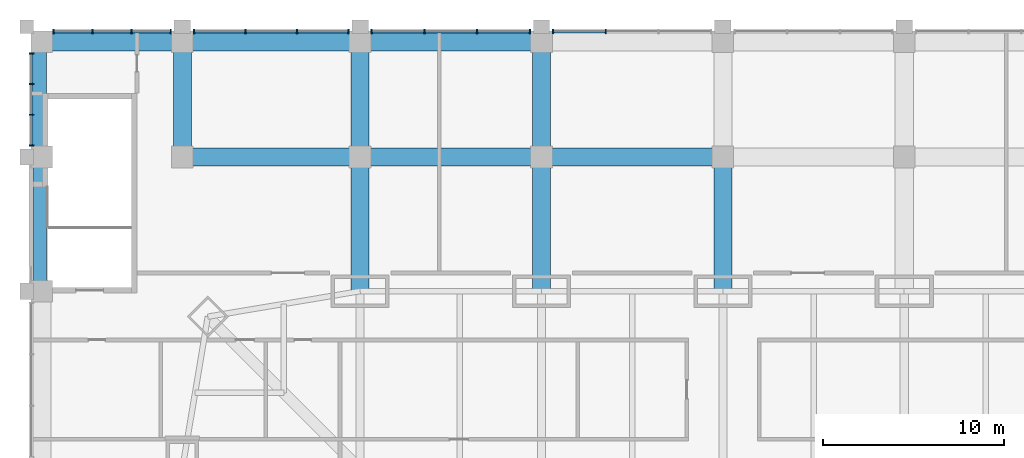
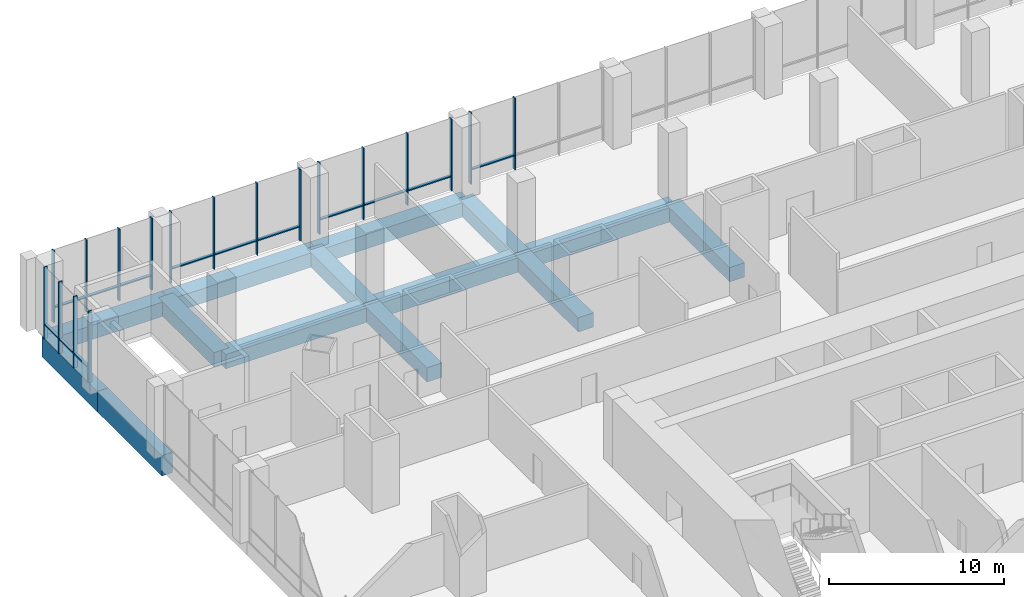
# One storey, part 10 of 22: 31 members, 14 beams, 5 elements without a shape of their own.
"""IFC4 building model written with IfcOpenShell, lengths in metres."""

from ifc_helpers import new_model, si_unit, direction, frame, origin, origin_2d, place, context, subcontext, project, spatial, rectangle, extrude, material, material_profile, profile_set, type_object, element, aggregate, save


model = new_model("IFC4")

# Units and contexts
model_context = context("Model", 3, precision=1e-05, world=origin(), true_north=direction((0.0, 1.0)))
body_context = subcontext(model_context, "Body", "Model", "MODEL_VIEW")
ifc_project = project(units=[si_unit("LENGTHUNIT", "METRE"), si_unit("AREAUNIT", "SQUARE_METRE"), si_unit("VOLUMEUNIT", "CUBIC_METRE"), si_unit("PLANEANGLEUNIT", "RADIAN"), si_unit("MASSUNIT", "GRAM", prefix="KILO")], contexts=[model_context])

# Site, building, storey
site_placement = place(None, origin())
site = spatial("IfcSite", under=ifc_project, at=site_placement, CompositionType="ELEMENT")
building_placement = place(site_placement, origin())
building = spatial("IfcBuilding", under=site, at=building_placement, Name="Khuree Lantern Residences", CompositionType="ELEMENT")
storey_placement = place(building_placement, frame((0.0, 0.0, 16.0)))
storey = spatial("IfcBuildingStorey", under=building, at=storey_placement, Name="L03", CompositionType="ELEMENT", Elevation=16.0)

# Curtain wall, members
ifc_material_1 = material(Name="Bronze anodised aluminium", Category="aluminium")
curtain_wall_type = type_object("IfcCurtainWallType", Name="CW-P PODIUM STOREFRONT CURTAIN WALL", PredefinedType="USERDEFINED", material=ifc_material_1)
curtain_wall_1_placement = place(storey_placement, origin())
curtain_wall_1 = element("IfcCurtainWall", 1, at=curtain_wall_1_placement, inside=storey, type_object=curtain_wall_type, Name="L03 NORTH FACE BAY 5 STOREFRONT", ObjectType="Storefront curtain wall", PredefinedType="USERDEFINED")
ifc_material_profile_1 = material_profile(ifc_material_1, rectangle(XDim=0.074951171875, YDim=0.25, at=origin_2d()), Name="M5 75X250")
ifc_profile_set_1 = profile_set([ifc_material_profile_1], Name="Bronze anodised aluminium")
member_type_1 = type_object("IfcMemberType", Name="MULLION M5 STOREFRONT 75X250", PredefinedType="MULLION", material=ifc_profile_set_1)
member_1_placement = place(storey_placement, frame((-6.4541015625, 44.125, 0.0), z_axis=(0.0, 0.0, 1.0), x_axis=(-1.0, 0.0, 0.0)))
member_1 = element("IfcMember", 2, at=member_1_placement, type_object=member_type_1, Name="L03 NORTH FACE BAY 5 MULLION 3", PredefinedType="MULLION", context=body_context, shape_type="SweptSolid", body=[
    extrude(rectangle(XDim=0.074951171875, YDim=0.25, at=origin_2d()), origin(), (0.0, 0.0, 1.0), 5.0),
])
member_2_placement = place(storey_placement, frame((-9.362548828125, 44.125, 0.0), z_axis=(0.0, 0.0, 1.0), x_axis=(-1.0, 0.0, 0.0)))
member_2 = element("IfcMember", 3, at=member_2_placement, type_object=member_type_1, Name="L03 NORTH FACE BAY 5 MULLION 4", PredefinedType="MULLION", context=body_context, shape_type="SweptSolid", body=[
    extrude(rectangle(XDim=0.074951171875, YDim=0.25, at=origin_2d()), origin(), (0.0, 0.0, 1.0), 5.0),
])

curtain_wall_2_placement = place(storey_placement, origin())
curtain_wall_2 = element("IfcCurtainWall", 4, at=curtain_wall_2_placement, inside=storey, type_object=curtain_wall_type, Name="L03 NORTH FACE BAY 6 STOREFRONT", ObjectType="Storefront curtain wall", PredefinedType="USERDEFINED")
member_3_placement = place(storey_placement, frame((-10.637451171875, 44.125, 0.0), z_axis=(0.0, 0.0, 1.0), x_axis=(-1.0, 0.0, 0.0)))
member_3 = element("IfcMember", 5, at=member_3_placement, type_object=member_type_1, Name="L03 NORTH FACE BAY 6 MULLION 1", PredefinedType="MULLION", context=body_context, shape_type="SweptSolid", body=[
    extrude(rectangle(XDim=0.074951171875, YDim=0.25, at=origin_2d()), origin(), (0.0, 0.0, 1.0), 5.0),
])
member_4_placement = place(storey_placement, frame((-13.5458984375, 44.125, 0.0), z_axis=(0.0, 0.0, 1.0), x_axis=(-1.0, 0.0, 0.0)))
member_4 = element("IfcMember", 6, at=member_4_placement, type_object=member_type_1, Name="L03 NORTH FACE BAY 6 MULLION 2", PredefinedType="MULLION", context=body_context, shape_type="SweptSolid", body=[
    extrude(rectangle(XDim=0.074951171875, YDim=0.25, at=origin_2d()), origin(), (0.0, 0.0, 1.0), 5.0),
])
member_5_placement = place(storey_placement, frame((-16.4541015625, 44.125, 0.0), z_axis=(0.0, 0.0, 1.0), x_axis=(-1.0, 0.0, 0.0)))
member_5 = element("IfcMember", 7, at=member_5_placement, type_object=member_type_1, Name="L03 NORTH FACE BAY 6 MULLION 3", PredefinedType="MULLION", context=body_context, shape_type="SweptSolid", body=[
    extrude(rectangle(XDim=0.074951171875, YDim=0.25, at=origin_2d()), origin(), (0.0, 0.0, 1.0), 5.0),
])
member_6_placement = place(storey_placement, frame((-19.362548828125, 44.125, 0.0), z_axis=(0.0, 0.0, 1.0), x_axis=(-1.0, 0.0, 0.0)))
member_6 = element("IfcMember", 8, at=member_6_placement, type_object=member_type_1, Name="L03 NORTH FACE BAY 6 MULLION 4", PredefinedType="MULLION", context=body_context, shape_type="SweptSolid", body=[
    extrude(rectangle(XDim=0.074951171875, YDim=0.25, at=origin_2d()), origin(), (0.0, 0.0, 1.0), 5.0),
])

curtain_wall_3_placement = place(storey_placement, origin())
curtain_wall_3 = element("IfcCurtainWall", 9, at=curtain_wall_3_placement, inside=storey, type_object=curtain_wall_type, Name="L03 NORTH FACE BAY 7 STOREFRONT", ObjectType="Storefront curtain wall", PredefinedType="USERDEFINED")
member_7_placement = place(storey_placement, frame((-20.637451171875, 44.125, 0.0), z_axis=(0.0, 0.0, 1.0), x_axis=(-1.0, 0.0, 0.0)))
member_7 = element("IfcMember", 10, at=member_7_placement, type_object=member_type_1, Name="L03 NORTH FACE BAY 7 MULLION 1", PredefinedType="MULLION", context=body_context, shape_type="SweptSolid", body=[
    extrude(rectangle(XDim=0.074951171875, YDim=0.25, at=origin_2d()), origin(), (0.0, 0.0, 1.0), 5.0),
])
member_8_placement = place(storey_placement, frame((-23.479248046875, 44.125, 0.0), z_axis=(0.0, 0.0, 1.0), x_axis=(-1.0, 0.0, 0.0)))
member_8 = element("IfcMember", 11, at=member_8_placement, type_object=member_type_1, Name="L03 NORTH FACE BAY 7 MULLION 2", PredefinedType="MULLION", context=body_context, shape_type="SweptSolid", body=[
    extrude(rectangle(XDim=0.074951171875, YDim=0.25, at=origin_2d()), origin(), (0.0, 0.0, 1.0), 5.0),
])
member_9_placement = place(storey_placement, frame((-26.32080078125, 44.125, 0.0), z_axis=(0.0, 0.0, 1.0), x_axis=(-1.0, 0.0, 0.0)))
member_9 = element("IfcMember", 12, at=member_9_placement, type_object=member_type_1, Name="L03 NORTH FACE BAY 7 MULLION 3", PredefinedType="MULLION", context=body_context, shape_type="SweptSolid", body=[
    extrude(rectangle(XDim=0.074951171875, YDim=0.25, at=origin_2d()), origin(), (0.0, 0.0, 1.0), 5.0),
])
member_10_placement = place(storey_placement, frame((-29.16259765625, 44.125, 0.0), z_axis=(0.0, 0.0, 1.0), x_axis=(-1.0, 0.0, 0.0)))
member_10 = element("IfcMember", 13, at=member_10_placement, type_object=member_type_1, Name="L03 NORTH FACE BAY 7 MULLION 4", PredefinedType="MULLION", context=body_context, shape_type="SweptSolid", body=[
    extrude(rectangle(XDim=0.074951171875, YDim=0.25, at=origin_2d()), origin(), (0.0, 0.0, 1.0), 5.0),
])

curtain_wall_4_placement = place(storey_placement, origin())
curtain_wall_4 = element("IfcCurtainWall", 14, at=curtain_wall_4_placement, inside=storey, type_object=curtain_wall_type, Name="L03 NORTH FACE BAY 8 STOREFRONT", ObjectType="Storefront curtain wall", PredefinedType="USERDEFINED")
member_11_placement = place(storey_placement, frame((-30.4375, 44.125, 0.0), z_axis=(0.0, 0.0, 1.0), x_axis=(-1.0, 0.0, 0.0)))
member_11 = element("IfcMember", 15, at=member_11_placement, type_object=member_type_1, Name="L03 NORTH FACE BAY 8 MULLION 1", PredefinedType="MULLION", context=body_context, shape_type="SweptSolid", body=[
    extrude(rectangle(XDim=0.074951171875, YDim=0.25, at=origin_2d()), origin(), (0.0, 0.0, 1.0), 5.0),
])
member_12_placement = place(storey_placement, frame((-32.595947265625, 44.125, 0.0), z_axis=(0.0, 0.0, 1.0), x_axis=(-1.0, 0.0, 0.0)))
member_12 = element("IfcMember", 16, at=member_12_placement, type_object=member_type_1, Name="L03 NORTH FACE BAY 8 MULLION 2", PredefinedType="MULLION", context=body_context, shape_type="SweptSolid", body=[
    extrude(rectangle(XDim=0.074951171875, YDim=0.25, at=origin_2d()), origin(), (0.0, 0.0, 1.0), 5.0),
])
member_13_placement = place(storey_placement, frame((-34.754150390625, 44.125, 0.0), z_axis=(0.0, 0.0, 1.0), x_axis=(-1.0, 0.0, 0.0)))
member_13 = element("IfcMember", 17, at=member_13_placement, type_object=member_type_1, Name="L03 NORTH FACE BAY 8 MULLION 3", PredefinedType="MULLION", context=body_context, shape_type="SweptSolid", body=[
    extrude(rectangle(XDim=0.074951171875, YDim=0.25, at=origin_2d()), origin(), (0.0, 0.0, 1.0), 5.0),
])
member_14_placement = place(storey_placement, frame((-36.91259765625, 44.125, 0.0), z_axis=(0.0, 0.0, 1.0), x_axis=(-1.0, 0.0, 0.0)))
member_14 = element("IfcMember", 18, at=member_14_placement, type_object=member_type_1, Name="L03 NORTH FACE BAY 8 MULLION 4", PredefinedType="MULLION", context=body_context, shape_type="SweptSolid", body=[
    extrude(rectangle(XDim=0.074951171875, YDim=0.25, at=origin_2d()), origin(), (0.0, 0.0, 1.0), 5.0),
])

curtain_wall_5_placement = place(storey_placement, origin())
curtain_wall_5 = element("IfcCurtainWall", 19, at=curtain_wall_5_placement, inside=storey, type_object=curtain_wall_type, Name="L03 WEST FACE BAY 1 STOREFRONT", ObjectType="Storefront curtain wall", PredefinedType="USERDEFINED")
member_15_placement = place(storey_placement, frame((-38.125, 42.91259765625, 0.0), z_axis=(0.0, 0.0, 1.0), x_axis=(0.0, -1.0, 0.0)))
member_15 = element("IfcMember", 20, at=member_15_placement, type_object=member_type_1, Name="L03 WEST FACE BAY 1 MULLION 1", PredefinedType="MULLION", context=body_context, shape_type="SweptSolid", body=[
    extrude(rectangle(XDim=0.074951171875, YDim=0.25, at=origin_2d()), origin(), (0.0, 0.0, 1.0), 5.0),
])
member_16_placement = place(storey_placement, frame((-38.125, 41.220947265625, 0.0), z_axis=(0.0, 0.0, 1.0), x_axis=(0.0, -1.0, 0.0)))
member_16 = element("IfcMember", 21, at=member_16_placement, type_object=member_type_1, Name="L03 WEST FACE BAY 1 MULLION 2", PredefinedType="MULLION", context=body_context, shape_type="SweptSolid", body=[
    extrude(rectangle(XDim=0.074951171875, YDim=0.25, at=origin_2d()), origin(), (0.0, 0.0, 1.0), 5.0),
])
member_17_placement = place(storey_placement, frame((-38.125, 39.529052734375, 0.0), z_axis=(0.0, 0.0, 1.0), x_axis=(0.0, -1.0, 0.0)))
member_17 = element("IfcMember", 22, at=member_17_placement, type_object=member_type_1, Name="L03 WEST FACE BAY 1 MULLION 3", PredefinedType="MULLION", context=body_context, shape_type="SweptSolid", body=[
    extrude(rectangle(XDim=0.074951171875, YDim=0.25, at=origin_2d()), origin(), (0.0, 0.0, 1.0), 5.0),
])
member_18_placement = place(storey_placement, frame((-38.125, 37.83740234375, 0.0), z_axis=(0.0, 0.0, 1.0), x_axis=(0.0, -1.0, 0.0)))
member_18 = element("IfcMember", 23, at=member_18_placement, type_object=member_type_1, Name="L03 WEST FACE BAY 1 MULLION 4", PredefinedType="MULLION", context=body_context, shape_type="SweptSolid", body=[
    extrude(rectangle(XDim=0.074951171875, YDim=0.25, at=origin_2d()), origin(), (0.0, 0.0, 1.0), 5.0),
])

# Beams
ifc_material_2 = material(Name="Concrete C40/50", Category="concrete")
ifc_material_profile_2 = material_profile(ifc_material_2, rectangle(XDim=1.0, YDim=1.0, at=origin_2d()), Name="RC 1000X1000")
ifc_profile_set_2 = profile_set([ifc_material_profile_2], Name="Concrete C40/50")
beam_type_1 = type_object("IfcBeamType", Name="RB3 PODIUM BEAM RC 1000X1000", PredefinedType="BEAM", material=ifc_profile_set_2)
beam_1_placement = place(storey_placement, frame((-29.800048828125, 37.199951171875, -0.800048828125), z_axis=(1.0, 0.0, 0.0), x_axis=(0.0, 1.0, 0.0)))
element("IfcBeam", 24, at=beam_1_placement, inside=storey, type_object=beam_type_1, Name="Podium beam RB-11", PredefinedType="BEAM", context=body_context, shape_type="SweptSolid", body=[
    extrude(rectangle(XDim=1.0, YDim=1.0, at=origin_2d()), origin(), (0.0, 0.0, 1.0), 9.800048828125),
])
for number, where, z_axis, x_axis, name in (
    (25, (-20.0, 37.199951171875, -0.800048828125), (1.0, 0.0, 0.0), (0.0, 1.0, 0.0), "Podium beam RB-12"),
    (26, (-10.0, 37.199951171875, -0.800048828125), (1.0, 0.0, 0.0), (0.0, 1.0, 0.0), "Podium beam RB-13"),
):
    element("IfcBeam", number, at=place(storey_placement, frame(where, z_axis=z_axis, x_axis=x_axis)), inside=storey, type_object=beam_type_1, Name=name, PredefinedType="BEAM", context=body_context, shape_type="SweptSolid", body=[
        extrude(rectangle(XDim=1.0, YDim=1.0, at=origin_2d()), origin(), (0.0, 0.0, 1.0), 10.0),
    ])
beam_2_placement = place(storey_placement, frame((-37.550048828125, 43.550048828125, -0.800048828125), z_axis=(1.0, 0.0, 0.0), x_axis=(0.0, 1.0, 0.0)))
element("IfcBeam", 27, at=beam_2_placement, inside=storey, type_object=beam_type_1, Name="Podium beam RB-17", PredefinedType="BEAM", context=body_context, shape_type="SweptSolid", body=[
    extrude(rectangle(XDim=1.0, YDim=1.0, at=origin_2d()), origin(), (0.0, 0.0, 1.0), 7.75),
])
beam_3_placement = place(storey_placement, frame((-29.800048828125, 43.550048828125, -0.800048828125), z_axis=(1.0, 0.0, 0.0), x_axis=(0.0, 1.0, 0.0)))
element("IfcBeam", 28, at=beam_3_placement, inside=storey, type_object=beam_type_1, Name="Podium beam RB-18", PredefinedType="BEAM", context=body_context, shape_type="SweptSolid", body=[
    extrude(rectangle(XDim=1.0, YDim=1.0, at=origin_2d()), origin(), (0.0, 0.0, 1.0), 9.800048828125),
])
beam_4_placement = place(storey_placement, frame((-20.0, 43.550048828125, -0.800048828125), z_axis=(1.0, 0.0, 0.0), x_axis=(0.0, 1.0, 0.0)))
element("IfcBeam", 29, at=beam_4_placement, inside=storey, type_object=beam_type_1, Name="Podium beam RB-19", PredefinedType="BEAM", context=body_context, shape_type="SweptSolid", body=[
    extrude(rectangle(XDim=1.0, YDim=1.0, at=origin_2d()), origin(), (0.0, 0.0, 1.0), 10.0),
])
beam_5_placement = place(storey_placement, frame((-29.800048828125, 37.199951171875, -0.800048828125), z_axis=(0.0, 1.0, 0.0), x_axis=(-1.0, 0.0, 0.0)))
element("IfcBeam", 30, at=beam_5_placement, inside=storey, type_object=beam_type_1, Name="Podium beam RB-33", PredefinedType="BEAM", context=body_context, shape_type="SweptSolid", body=[
    extrude(rectangle(XDim=1.0, YDim=1.0, at=origin_2d()), origin(), (0.0, 0.0, 1.0), 6.35009765625),
])
beam_6_placement = place(storey_placement, frame((-20.0, 29.800048828125, -0.800048828125), z_axis=(0.0, 1.0, 0.0), x_axis=(-1.0, 0.0, 0.0)))
element("IfcBeam", 31, at=beam_6_placement, inside=storey, type_object=beam_type_1, Name="Podium beam RB-34", PredefinedType="BEAM", context=body_context, shape_type="SweptSolid", body=[
    extrude(rectangle(XDim=1.0, YDim=1.0, at=origin_2d()), origin(), (0.0, 0.0, 1.0), 7.39990234375),
])
beam_7_placement = place(storey_placement, frame((-20.0, 37.199951171875, -0.800048828125), z_axis=(0.0, 1.0, 0.0), x_axis=(-1.0, 0.0, 0.0)))
element("IfcBeam", 32, at=beam_7_placement, inside=storey, type_object=beam_type_1, Name="Podium beam RB-35", PredefinedType="BEAM", context=body_context, shape_type="SweptSolid", body=[
    extrude(rectangle(XDim=1.0, YDim=1.0, at=origin_2d()), origin(), (0.0, 0.0, 1.0), 6.35009765625),
])
beam_8_placement = place(storey_placement, frame((-10.0, 29.800048828125, -0.800048828125), z_axis=(0.0, 1.0, 0.0), x_axis=(-1.0, 0.0, 0.0)))
element("IfcBeam", 33, at=beam_8_placement, inside=storey, type_object=beam_type_1, Name="Podium beam RB-36", PredefinedType="BEAM", context=body_context, shape_type="SweptSolid", body=[
    extrude(rectangle(XDim=1.0, YDim=1.0, at=origin_2d()), origin(), (0.0, 0.0, 1.0), 7.39990234375),
])
beam_9_placement = place(storey_placement, frame((-10.0, 37.199951171875, -0.800048828125), z_axis=(0.0, 1.0, 0.0), x_axis=(-1.0, 0.0, 0.0)))
element("IfcBeam", 34, at=beam_9_placement, inside=storey, type_object=beam_type_1, Name="Podium beam RB-37", PredefinedType="BEAM", context=body_context, shape_type="SweptSolid", body=[
    extrude(rectangle(XDim=1.0, YDim=1.0, at=origin_2d()), origin(), (0.0, 0.0, 1.0), 6.35009765625),
])
beam_10_placement = place(storey_placement, frame((0.0, 29.800048828125, -0.800048828125), z_axis=(0.0, 1.0, 0.0), x_axis=(-1.0, 0.0, 0.0)))
element("IfcBeam", 35, at=beam_10_placement, inside=storey, type_object=beam_type_1, Name="Podium beam RB-38", PredefinedType="BEAM", context=body_context, shape_type="SweptSolid", body=[
    extrude(rectangle(XDim=1.0, YDim=1.0, at=origin_2d()), origin(), (0.0, 0.0, 1.0), 7.39990234375),
])
ifc_material_profile_3 = material_profile(ifc_material_2, rectangle(XDim=0.699951171875, YDim=1.429931640625, at=origin_2d()), Name="RC 700X1430")
ifc_profile_set_3 = profile_set([ifc_material_profile_3], Name="Concrete C40/50")
beam_type_2 = type_object("IfcBeamType", Name="RB7 PODIUM BEAM AT STAIR RC 700X1430", PredefinedType="BEAM", material=ifc_profile_set_3)
beam_11_placement = place(storey_placement, frame((-37.64990234375, 29.800048828125, -1.014892578125), z_axis=(0.0, 1.0, 0.0), x_axis=(-1.0, 0.0, 0.0)))
element("IfcBeam", 36, at=beam_11_placement, inside=storey, type_object=beam_type_2, Name="Podium beam at stair RB-31", PredefinedType="BEAM", context=body_context, shape_type="SweptSolid", body=[
    extrude(rectangle(XDim=0.699951171875, YDim=1.429931640625, at=origin_2d()), origin(), (0.0, 0.0, 1.0), 7.39990234375),
])
beam_12_placement = place(storey_placement, frame((-37.64990234375, 37.199951171875, -1.014892578125), z_axis=(0.0, 1.0, 0.0), x_axis=(-1.0, 0.0, 0.0)))
element("IfcBeam", 37, at=beam_12_placement, inside=storey, type_object=beam_type_2, Name="Podium beam at stair RB-32", PredefinedType="BEAM", context=body_context, shape_type="SweptSolid", body=[
    extrude(rectangle(XDim=0.699951171875, YDim=1.429931640625, at=origin_2d()), origin(), (0.0, 0.0, 1.0), 6.35009765625),
])

# Member
ifc_material_profile_4 = material_profile(ifc_material_1, rectangle(XDim=0.199951171875, YDim=0.074951171875, at=origin_2d()), Name="T5 200X75")
ifc_profile_set_4 = profile_set([ifc_material_profile_4], Name="Bronze anodised aluminium")
member_type_2 = type_object("IfcMemberType", Name="TRANSOM T5 STOREFRONT 200X75", PredefinedType="USERDEFINED", material=ifc_profile_set_4)
member_19_placement = place(storey_placement, frame((-6.49169921875, 44.1201171875, 1.0), z_axis=(-1.0, 0.0, 0.0), x_axis=(0.0, -1.0, 0.0)))
member_19 = element("IfcMember", 38, at=member_19_placement, type_object=member_type_2, Name="L03 NORTH FACE BAY 5 TRANSOM 3", ObjectType="Transom", PredefinedType="USERDEFINED", context=body_context, shape_type="SweptSolid", body=[
    extrude(rectangle(XDim=0.199951171875, YDim=0.074951171875, at=origin_2d()), origin(), (0.0, 0.0, 1.0), 2.833251953125),
])

aggregate(curtain_wall_1, [member_1, member_2, member_19])

member_20_placement = place(storey_placement, frame((-10.675048828125, 44.1201171875, 1.0), z_axis=(-1.0, 0.0, 0.0), x_axis=(0.0, -1.0, 0.0)))
member_20 = element("IfcMember", 39, at=member_20_placement, type_object=member_type_2, Name="L03 NORTH FACE BAY 6 TRANSOM 1", ObjectType="Transom", PredefinedType="USERDEFINED", context=body_context, shape_type="SweptSolid", body=[
    extrude(rectangle(XDim=0.199951171875, YDim=0.074951171875, at=origin_2d()), origin(), (0.0, 0.0, 1.0), 2.833251953125),
])

member_21_placement = place(storey_placement, frame((-13.583251953125, 44.1201171875, 1.0), z_axis=(-1.0, 0.0, 0.0), x_axis=(0.0, -1.0, 0.0)))
member_21 = element("IfcMember", 40, at=member_21_placement, type_object=member_type_2, Name="L03 NORTH FACE BAY 6 TRANSOM 2", ObjectType="Transom", PredefinedType="USERDEFINED", context=body_context, shape_type="SweptSolid", body=[
    extrude(rectangle(XDim=0.199951171875, YDim=0.074951171875, at=origin_2d()), origin(), (0.0, 0.0, 1.0), 2.83349609375),
])

member_22_placement = place(storey_placement, frame((-16.49169921875, 44.1201171875, 1.0), z_axis=(-1.0, 0.0, 0.0), x_axis=(0.0, -1.0, 0.0)))
member_22 = element("IfcMember", 41, at=member_22_placement, type_object=member_type_2, Name="L03 NORTH FACE BAY 6 TRANSOM 3", ObjectType="Transom", PredefinedType="USERDEFINED", context=body_context, shape_type="SweptSolid", body=[
    extrude(rectangle(XDim=0.199951171875, YDim=0.074951171875, at=origin_2d()), origin(), (0.0, 0.0, 1.0), 2.833251953125),
])

aggregate(curtain_wall_2, [member_3, member_4, member_5, member_6, member_20, member_21, member_22])

member_23_placement = place(storey_placement, frame((-20.675048828125, 44.1201171875, 1.0), z_axis=(-1.0, 0.0, 0.0), x_axis=(0.0, -1.0, 0.0)))
member_23 = element("IfcMember", 42, at=member_23_placement, type_object=member_type_2, Name="L03 NORTH FACE BAY 7 TRANSOM 1", ObjectType="Transom", PredefinedType="USERDEFINED", context=body_context, shape_type="SweptSolid", body=[
    extrude(rectangle(XDim=0.199951171875, YDim=0.074951171875, at=origin_2d()), origin(), (0.0, 0.0, 1.0), 2.7666015625),
])

member_24_placement = place(storey_placement, frame((-23.5166015625, 44.1201171875, 1.0), z_axis=(-1.0, 0.0, 0.0), x_axis=(0.0, -1.0, 0.0)))
member_24 = element("IfcMember", 43, at=member_24_placement, type_object=member_type_2, Name="L03 NORTH FACE BAY 7 TRANSOM 2", ObjectType="Transom", PredefinedType="USERDEFINED", context=body_context, shape_type="SweptSolid", body=[
    extrude(rectangle(XDim=0.199951171875, YDim=0.074951171875, at=origin_2d()), origin(), (0.0, 0.0, 1.0), 2.766845703125),
])

member_25_placement = place(storey_placement, frame((-26.3583984375, 44.1201171875, 1.0), z_axis=(-1.0, 0.0, 0.0), x_axis=(0.0, -1.0, 0.0)))
member_25 = element("IfcMember", 44, at=member_25_placement, type_object=member_type_2, Name="L03 NORTH FACE BAY 7 TRANSOM 3", ObjectType="Transom", PredefinedType="USERDEFINED", context=body_context, shape_type="SweptSolid", body=[
    extrude(rectangle(XDim=0.199951171875, YDim=0.074951171875, at=origin_2d()), origin(), (0.0, 0.0, 1.0), 2.7666015625),
])

aggregate(curtain_wall_3, [member_7, member_8, member_9, member_10, member_23, member_24, member_25])

member_26_placement = place(storey_placement, frame((-30.47509765625, 44.1201171875, 1.0), z_axis=(-1.0, 0.0, 0.0), x_axis=(0.0, -1.0, 0.0)))
member_26 = element("IfcMember", 45, at=member_26_placement, type_object=member_type_2, Name="L03 NORTH FACE BAY 8 TRANSOM 1", ObjectType="Transom", PredefinedType="USERDEFINED", context=body_context, shape_type="SweptSolid", body=[
    extrude(rectangle(XDim=0.199951171875, YDim=0.074951171875, at=origin_2d()), origin(), (0.0, 0.0, 1.0), 2.083251953125),
])

member_27_placement = place(storey_placement, frame((-32.63330078125, 44.1201171875, 1.0), z_axis=(-1.0, 0.0, 0.0), x_axis=(0.0, -1.0, 0.0)))
member_27 = element("IfcMember", 46, at=member_27_placement, type_object=member_type_2, Name="L03 NORTH FACE BAY 8 TRANSOM 2", ObjectType="Transom", PredefinedType="USERDEFINED", context=body_context, shape_type="SweptSolid", body=[
    extrude(rectangle(XDim=0.199951171875, YDim=0.074951171875, at=origin_2d()), origin(), (0.0, 0.0, 1.0), 2.083251953125),
])

member_28_placement = place(storey_placement, frame((-34.791748046875, 44.1201171875, 1.0), z_axis=(-1.0, 0.0, 0.0), x_axis=(0.0, -1.0, 0.0)))
member_28 = element("IfcMember", 47, at=member_28_placement, type_object=member_type_2, Name="L03 NORTH FACE BAY 8 TRANSOM 3", ObjectType="Transom", PredefinedType="USERDEFINED", context=body_context, shape_type="SweptSolid", body=[
    extrude(rectangle(XDim=0.199951171875, YDim=0.074951171875, at=origin_2d()), origin(), (0.0, 0.0, 1.0), 2.083251953125),
])

aggregate(curtain_wall_4, [member_11, member_12, member_13, member_14, member_26, member_27, member_28])

member_29_placement = place(storey_placement, frame((-38.1201171875, 42.875, 1.0), z_axis=(0.0, -1.0, 0.0), x_axis=(1.0, 0.0, 0.0)))
member_29 = element("IfcMember", 48, at=member_29_placement, type_object=member_type_2, Name="L03 WEST FACE BAY 1 TRANSOM 1", ObjectType="Transom", PredefinedType="USERDEFINED", context=body_context, shape_type="SweptSolid", body=[
    extrude(rectangle(XDim=0.199951171875, YDim=0.074951171875, at=origin_2d()), origin(), (0.0, 0.0, 1.0), 1.61669921875),
])

member_30_placement = place(storey_placement, frame((-38.1201171875, 41.183349609375, 1.0), z_axis=(0.0, -1.0, 0.0), x_axis=(1.0, 0.0, 0.0)))
member_30 = element("IfcMember", 49, at=member_30_placement, type_object=member_type_2, Name="L03 WEST FACE BAY 1 TRANSOM 2", ObjectType="Transom", PredefinedType="USERDEFINED", context=body_context, shape_type="SweptSolid", body=[
    extrude(rectangle(XDim=0.199951171875, YDim=0.074951171875, at=origin_2d()), origin(), (0.0, 0.0, 1.0), 1.61669921875),
])

member_31_placement = place(storey_placement, frame((-38.1201171875, 39.49169921875, 1.0), z_axis=(0.0, -1.0, 0.0), x_axis=(1.0, 0.0, 0.0)))
member_31 = element("IfcMember", 50, at=member_31_placement, type_object=member_type_2, Name="L03 WEST FACE BAY 1 TRANSOM 3", ObjectType="Transom", PredefinedType="USERDEFINED", context=body_context, shape_type="SweptSolid", body=[
    extrude(rectangle(XDim=0.199951171875, YDim=0.074951171875, at=origin_2d()), origin(), (0.0, 0.0, 1.0), 1.61669921875),
])

aggregate(curtain_wall_5, [member_15, member_16, member_17, member_18, member_29, member_30, member_31])

save(model, "model.ifc")
